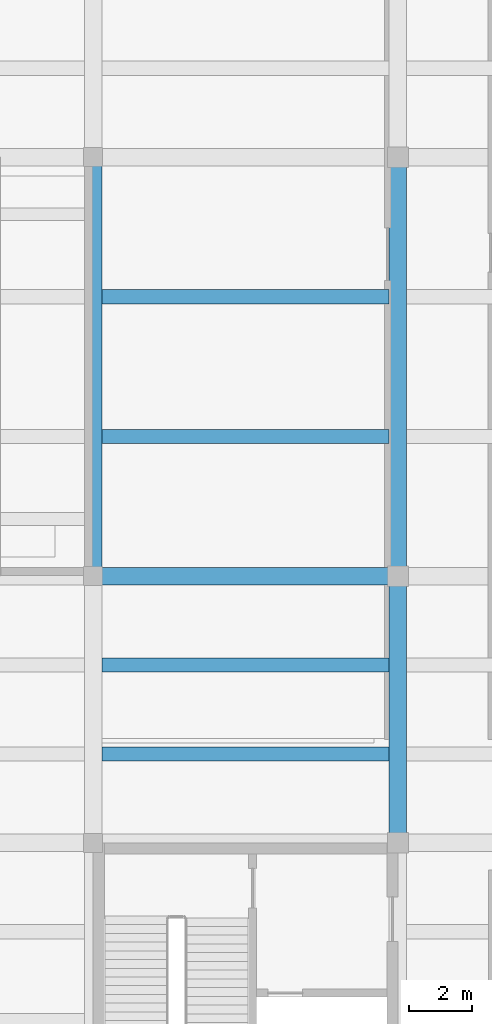
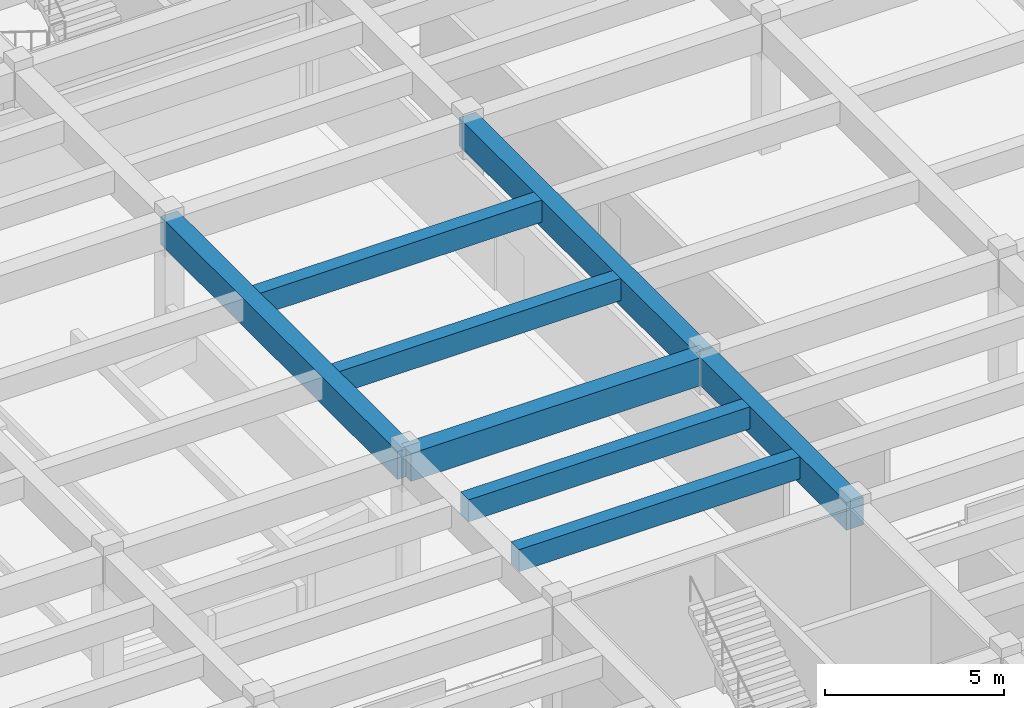
# One storey, part 6 of 86: 8 beams.
"""IFC4 building model written with IfcOpenShell, lengths in metres."""

from ifc_helpers import new_model, si_unit, direction, frame, origin, origin_2d, place, context, subcontext, project, spatial, rectangle, extrude, material, material_profile, profile_set, type_object, element, save


model = new_model("IFC4")

# Units and contexts
model_context = context("Model", 3, precision=1e-05, world=origin(), true_north=direction((0.0, 1.0)))
body_context = subcontext(model_context, "Body", "Model", "MODEL_VIEW")
ifc_project = project(units=[si_unit("LENGTHUNIT", "METRE"), si_unit("AREAUNIT", "SQUARE_METRE"), si_unit("VOLUMEUNIT", "CUBIC_METRE"), si_unit("PLANEANGLEUNIT", "RADIAN"), si_unit("MASSUNIT", "GRAM", prefix="KILO")], contexts=[model_context])

# Site, building, storey
site_placement = place(None, origin())
site = spatial("IfcSite", under=ifc_project, at=site_placement, CompositionType="ELEMENT")
building_placement = place(site_placement, origin())
building = spatial("IfcBuilding", under=site, at=building_placement, Name="Kolvemor Railside Polytechnic", CompositionType="ELEMENT")
storey_placement = place(building_placement, frame((0.0, 0.0, 5.39990234375)))
storey = spatial("IfcBuildingStorey", under=building, at=storey_placement, Name="L01", CompositionType="ELEMENT", Elevation=5.39990234375)

# Beams
ifc_material_1 = material(Name="Concrete C40/50", Category="concrete")
ifc_material_profile_1 = material_profile(ifc_material_1, rectangle(XDim=0.550048828125, YDim=0.949951171875, at=origin_2d()), Name="RC550x950")
ifc_profile_set_1 = profile_set([ifc_material_profile_1], Name="Concrete C40/50")
beam_type_1 = type_object("IfcBeamType", Name="BM-RC-GIRD", PredefinedType="BEAM", material=ifc_profile_set_1)
beam_1_placement = place(storey_placement, frame((19.199951171875, 38.39990234375, 4.005126953125), z_axis=(1.0, 0.0, 0.0), x_axis=(0.0, 1.0, 0.0)))
element("IfcBeam", 1, at=beam_1_placement, inside=storey, type_object=beam_type_1, Name="Primary Girder L02-GX 0580", PredefinedType="BEAM", context=body_context, shape_type="SweptSolid", body=[
    extrude(rectangle(XDim=0.550048828125, YDim=0.949951171875, at=origin_2d()), origin(), (0.0, 0.0, 1.0), 9.60009765625),
])
beam_2_placement = place(storey_placement, frame((19.199951171875, 38.39990234375, 4.005126953125), z_axis=(0.0, 1.0, 0.0), x_axis=(-1.0, 0.0, 0.0)))
element("IfcBeam", 2, at=beam_2_placement, inside=storey, type_object=beam_type_1, Name="Primary Girder L02-GY 0630", PredefinedType="BEAM", context=body_context, shape_type="SweptSolid", body=[
    extrude(rectangle(XDim=0.550048828125, YDim=0.949951171875, at=origin_2d()), origin(), (0.0, 0.0, 1.0), 13.2001953125),
])
beam_3_placement = place(storey_placement, frame((28.800048828125, 30.0, 4.005126953125), z_axis=(0.0, 1.0, 0.0), x_axis=(-1.0, 0.0, 0.0)))
element("IfcBeam", 3, at=beam_3_placement, inside=storey, type_object=beam_type_1, Name="Primary Girder L02-GY 0638", PredefinedType="BEAM", context=body_context, shape_type="SweptSolid", body=[
    extrude(rectangle(XDim=0.550048828125, YDim=0.949951171875, at=origin_2d()), origin(), (0.0, 0.0, 1.0), 8.39990234375),
])
beam_4_placement = place(storey_placement, frame((28.800048828125, 38.39990234375, 4.005126953125), z_axis=(0.0, 1.0, 0.0), x_axis=(-1.0, 0.0, 0.0)))
element("IfcBeam", 4, at=beam_4_placement, inside=storey, type_object=beam_type_1, Name="Primary Girder L02-GY 0639", PredefinedType="BEAM", context=body_context, shape_type="SweptSolid", body=[
    extrude(rectangle(XDim=0.550048828125, YDim=0.949951171875, at=origin_2d()), origin(), (0.0, 0.0, 1.0), 13.2001953125),
])
ifc_material_2 = material(Name="Concrete C40/50", Category="concrete")
ifc_material_profile_2 = material_profile(ifc_material_2, rectangle(XDim=0.449951171875, YDim=0.75, at=origin_2d()), Name="RC450x750")
ifc_profile_set_2 = profile_set([ifc_material_profile_2], Name="Concrete C40/50")
beam_type_2 = type_object("IfcBeamType", Name="BM-RC-SEC", PredefinedType="JOIST", material=ifc_profile_set_2)
for number, where, z_axis, x_axis, name in (
    (5, (19.47509765625, 32.800048828125, 4.10498046875), (1.0, 0.0, 0.0), (0.0, 1.0, 0.0), "Floor Joist L02-J0702"),
    (6, (19.47509765625, 35.60009765625, 4.10498046875), (1.0, 0.0, 0.0), (0.0, 1.0, 0.0), "Floor Joist L02-J0703"),
    (7, (19.47509765625, 42.800048828125, 4.10498046875), (1.0, 0.0, 0.0), (0.0, 1.0, 0.0), "Floor Joist L02-J0704"),
    (8, (19.47509765625, 47.199951171875, 4.10498046875), (1.0, 0.0, 0.0), (0.0, 1.0, 0.0), "Floor Joist L02-J0705"),
):
    element("IfcBeam", number, at=place(storey_placement, frame(where, z_axis=z_axis, x_axis=x_axis)), inside=storey, type_object=beam_type_2, Name=name, PredefinedType="JOIST", context=body_context, shape_type="SweptSolid", body=[
        extrude(rectangle(XDim=0.449951171875, YDim=0.75, at=origin_2d()), origin(), (0.0, 0.0, 1.0), 9.0498046875),
    ])

save(model, "model.ifc")
